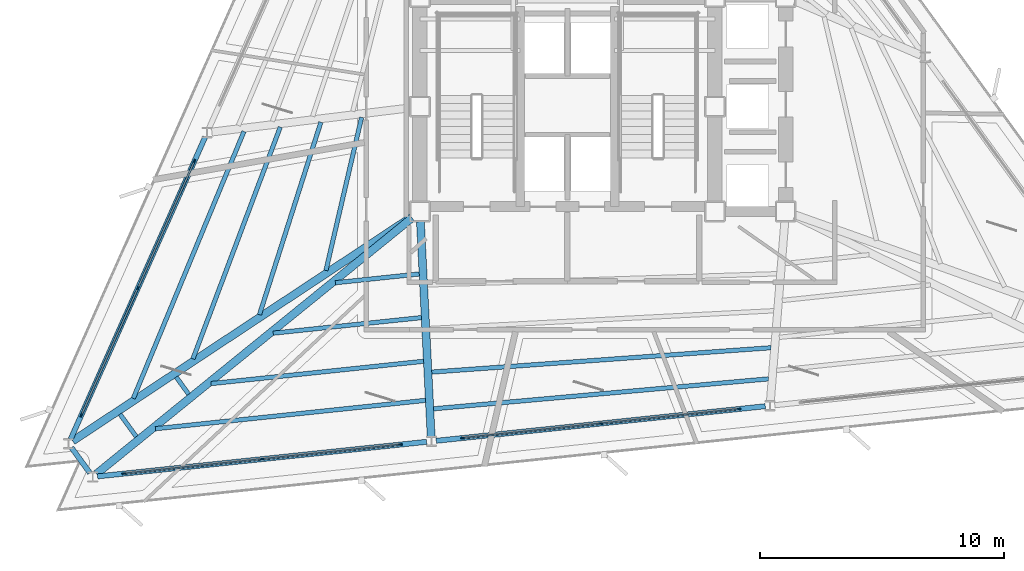
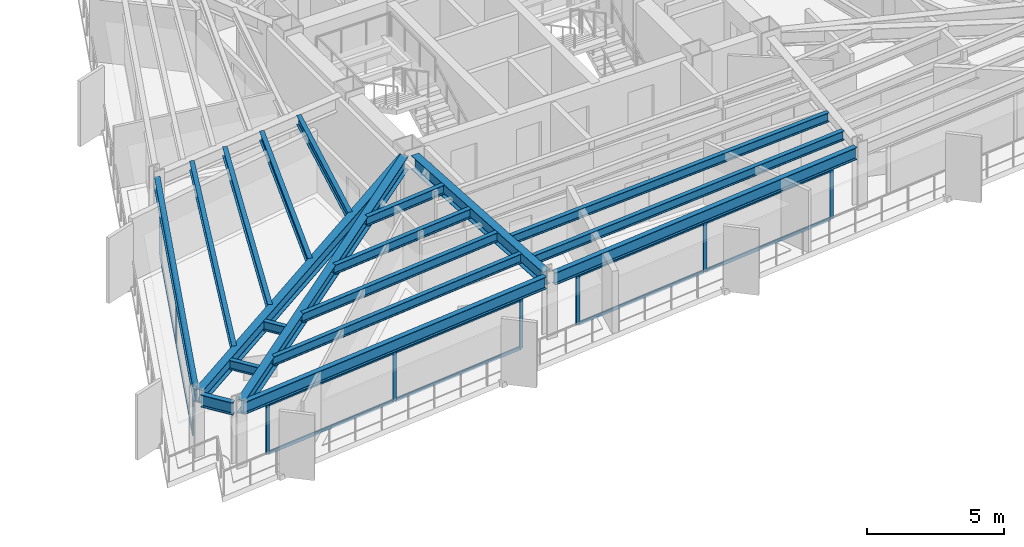
# One storey, part 2 of 12: 21 members, 19 beams, 3 elements without a shape of their own.
"""IFC4 building model written with IfcOpenShell, lengths in metres."""

from ifc_helpers import new_model, si_unit, direction, frame, origin, origin_2d, place, context, subcontext, project, spatial, rectangle, i_section, extrude, material, layer, layer_set, material_profile, profile_set, type_object, element, aggregate, save


model = new_model("IFC4")

# Units and contexts
model_context = context("Model", 3, precision=1e-05, world=origin(), true_north=direction((0.0, 1.0)))
body_context = subcontext(model_context, "Body", "Model", "MODEL_VIEW")
ifc_project = project(units=[si_unit("LENGTHUNIT", "METRE"), si_unit("AREAUNIT", "SQUARE_METRE"), si_unit("VOLUMEUNIT", "CUBIC_METRE"), si_unit("PLANEANGLEUNIT", "RADIAN"), si_unit("MASSUNIT", "GRAM", prefix="KILO")], contexts=[model_context])

# Site, building, storey
site_placement = place(None, origin())
site = spatial("IfcSite", under=ifc_project, at=site_placement, CompositionType="ELEMENT")
building_placement = place(site_placement, origin())
building = spatial("IfcBuilding", under=site, at=building_placement, Name="Rocaltana Carrier Exchange", CompositionType="ELEMENT")
storey_placement = place(building_placement, frame((0.0, 0.0, 113.760009765625)))
storey = spatial("IfcBuildingStorey", under=building, at=storey_placement, Name="L35", CompositionType="ELEMENT", Elevation=113.760009765625)

# Curtain wall, members
ifc_material_1 = material(Name="Aluminium 6063-T6", Category="aluminium")
ifc_layer = layer(ifc_material_1, 0.14990234375)
ifc_layer_set = layer_set([ifc_layer], Name="Aluminium 6063-T6")
curtain_wall_type = type_object("IfcCurtainWallType", Name="Mid-Tower Unitised Curtain Wall CW-03", PredefinedType="NOTDEFINED", material=ifc_layer_set)
curtain_wall_1_placement = place(storey_placement, origin())
curtain_wall_1 = element("IfcCurtainWall", 1, at=curtain_wall_1_placement, inside=storey, type_object=curtain_wall_type, Name="L35 CW-03 Run CW-L35-F2S3", PredefinedType="NOTDEFINED")
ifc_material_2 = material(Name="Aluminium 6063-T6", Category="aluminium")
ifc_material_profile_1 = material_profile(ifc_material_2, rectangle(XDim=0.06005859375, YDim=0.14990234375, at=origin_2d()), Name="AL-60X150")
ifc_profile_set_1 = profile_set([ifc_material_profile_1], Name="Aluminium 6063-T6")
member_type_1 = type_object("IfcMemberType", Name="CW-03 Mullion AL-60X150", PredefinedType="MULLION", material=ifc_profile_set_1)
member_1_placement = place(storey_placement, frame((-15.299560546875, -2.2333984375, 0.0), z_axis=(0.0, 0.0, 1.0), x_axis=(0.913547031517, -0.406733108077, 0.0)))
member_1 = element("IfcMember", 2, at=member_1_placement, type_object=member_type_1, Name="CW-03 mullion 1", PredefinedType="MULLION", context=body_context, shape_type="SweptSolid", body=[
    extrude(rectangle(XDim=0.06005859375, YDim=0.14990234375, at=origin_2d()), origin(), (0.0, 0.0, 1.0), 2.218017578125),
])
member_2_placement = place(storey_placement, frame((-17.619140625, -7.44384765625, 0.0), z_axis=(0.0, 0.0, 1.0), x_axis=(0.913547031517, -0.406733108077, 0.0)))
member_2 = element("IfcMember", 3, at=member_2_placement, type_object=member_type_1, Name="CW-03 mullion 2", PredefinedType="MULLION", context=body_context, shape_type="SweptSolid", body=[
    extrude(rectangle(XDim=0.06005859375, YDim=0.14990234375, at=origin_2d()), origin(), (0.0, 0.0, 1.0), 2.218017578125),
])
member_3_placement = place(storey_placement, frame((-19.93896484375, -12.654052734375, 0.0), z_axis=(0.0, 0.0, 1.0), x_axis=(0.913547031517, -0.406733108077, 0.0)))
member_3 = element("IfcMember", 4, at=member_3_placement, type_object=member_type_1, Name="CW-03 mullion 3", PredefinedType="MULLION", context=body_context, shape_type="SweptSolid", body=[
    extrude(rectangle(XDim=0.06005859375, YDim=0.14990234375, at=origin_2d()), origin(), (0.0, 0.0, 1.0), 2.218017578125),
])

curtain_wall_2_placement = place(storey_placement, origin())
curtain_wall_2 = element("IfcCurtainWall", 5, at=curtain_wall_2_placement, inside=storey, type_object=curtain_wall_type, Name="L35 CW-03 Run CW-L35-F3S1", PredefinedType="NOTDEFINED")
member_4_placement = place(storey_placement, frame((-18.196044921875, -15.052734375, 0.0), z_axis=(0.0, 0.0, 1.0), x_axis=(-0.104521806959, 0.994522594952, 0.0)))
member_4 = element("IfcMember", 6, at=member_4_placement, type_object=member_type_1, Name="CW-03 mullion 1", PredefinedType="MULLION", context=body_context, shape_type="SweptSolid", body=[
    extrude(rectangle(XDim=0.06005859375, YDim=0.14990234375, at=origin_2d()), origin(), (0.0, 0.0, 1.0), 2.218017578125),
])
member_5_placement = place(storey_placement, frame((-12.524169921875, -14.45654296875, 0.0), z_axis=(0.0, 0.0, 1.0), x_axis=(-0.104521806959, 0.994522594952, 0.0)))
member_5 = element("IfcMember", 7, at=member_5_placement, type_object=member_type_1, Name="CW-03 mullion 2", PredefinedType="MULLION", context=body_context, shape_type="SweptSolid", body=[
    extrude(rectangle(XDim=0.06005859375, YDim=0.14990234375, at=origin_2d()), origin(), (0.0, 0.0, 1.0), 2.218017578125),
])
member_6_placement = place(storey_placement, frame((-6.85205078125, -13.860595703125, 0.0), z_axis=(0.0, 0.0, 1.0), x_axis=(-0.104521806959, 0.994522594952, 0.0)))
member_6 = element("IfcMember", 8, at=member_6_placement, type_object=member_type_1, Name="CW-03 mullion 3", PredefinedType="MULLION", context=body_context, shape_type="SweptSolid", body=[
    extrude(rectangle(XDim=0.06005859375, YDim=0.14990234375, at=origin_2d()), origin(), (0.0, 0.0, 1.0), 2.218017578125),
])

curtain_wall_3_placement = place(storey_placement, origin())
curtain_wall_3 = element("IfcCurtainWall", 9, at=curtain_wall_3_placement, inside=storey, type_object=curtain_wall_type, Name="L35 CW-03 Run CW-L35-F3S2", PredefinedType="NOTDEFINED")
member_7_placement = place(storey_placement, frame((-4.30615234375, -13.5927734375, 0.0), z_axis=(0.0, 0.0, 1.0), x_axis=(-0.104529526113, 0.994521783658, 0.0)))
member_7 = element("IfcMember", 10, at=member_7_placement, type_object=member_type_1, Name="CW-03 mullion 1", PredefinedType="MULLION", context=body_context, shape_type="SweptSolid", body=[
    extrude(rectangle(XDim=0.06005859375, YDim=0.14990234375, at=origin_2d()), origin(), (0.0, 0.0, 1.0), 2.218017578125),
])
member_8_placement = place(storey_placement, frame((1.365966796875, -12.99658203125, 0.0), z_axis=(0.0, 0.0, 1.0), x_axis=(-0.104529526113, 0.994521783658, 0.0)))
member_8 = element("IfcMember", 11, at=member_8_placement, type_object=member_type_1, Name="CW-03 mullion 2", PredefinedType="MULLION", context=body_context, shape_type="SweptSolid", body=[
    extrude(rectangle(XDim=0.06005859375, YDim=0.14990234375, at=origin_2d()), origin(), (0.0, 0.0, 1.0), 2.218017578125),
])
member_9_placement = place(storey_placement, frame((7.0380859375, -12.400634765625, 0.0), z_axis=(0.0, 0.0, 1.0), x_axis=(-0.104529526113, 0.994521783658, 0.0)))
member_9 = element("IfcMember", 12, at=member_9_placement, type_object=member_type_1, Name="CW-03 mullion 3", PredefinedType="MULLION", context=body_context, shape_type="SweptSolid", body=[
    extrude(rectangle(XDim=0.06005859375, YDim=0.14990234375, at=origin_2d()), origin(), (0.0, 0.0, 1.0), 2.218017578125),
])

# Member
ifc_material_3 = material(Name="Aluminium 6063-T6", Category="aluminium")
ifc_material_profile_2 = material_profile(ifc_material_3, rectangle(XDim=0.06005859375, YDim=0.14990234375, at=origin_2d()), Name="AL-60X150")
ifc_profile_set_2 = profile_set([ifc_material_profile_2], Name="Aluminium 6063-T6")
member_type_2 = type_object("IfcMemberType", Name="CW-03 Transom AL-60X150", PredefinedType="USERDEFINED", material=ifc_profile_set_2)
member_10_placement = place(storey_placement, frame((-15.311767578125, -2.260986328125, 0.030029296875), z_axis=(-0.406704359788, -0.913559830405, 0.0), x_axis=(0.913559830405, -0.406704359788, 0.0)))
member_10 = element("IfcMember", 13, at=member_10_placement, type_object=member_type_2, Name="CW-03 transom 1.1", ObjectType="TRANSOM", PredefinedType="USERDEFINED", context=body_context, shape_type="SweptSolid", body=[
    extrude(rectangle(XDim=0.06005859375, YDim=0.14990234375, at=origin_2d()), origin(), (0.0, 0.0, 1.0), 5.643310546875),
])

member_11_placement = place(storey_placement, frame((-15.311767578125, -2.260986328125, 2.18798828125), z_axis=(-0.406704359788, -0.913559830405, 0.0), x_axis=(0.913559830405, -0.406704359788, 0.0)))
member_11 = element("IfcMember", 14, at=member_11_placement, type_object=member_type_2, Name="CW-03 transom 1.2", ObjectType="TRANSOM", PredefinedType="USERDEFINED", context=body_context, shape_type="SweptSolid", body=[
    extrude(rectangle(XDim=0.06005859375, YDim=0.14990234375, at=origin_2d()), origin(), (0.0, 0.0, 1.0), 5.643310546875),
])

member_12_placement = place(storey_placement, frame((-17.63134765625, -7.47119140625, 0.030029296875), z_axis=(-0.406740464784, -0.913543756099, 0.0), x_axis=(0.913543756099, -0.406740464784, 0.0)))
member_12 = element("IfcMember", 15, at=member_12_placement, type_object=member_type_2, Name="CW-03 transom 2.1", ObjectType="TRANSOM", PredefinedType="USERDEFINED", context=body_context, shape_type="SweptSolid", body=[
    extrude(rectangle(XDim=0.06005859375, YDim=0.14990234375, at=origin_2d()), origin(), (0.0, 0.0, 1.0), 5.643310546875),
])

member_13_placement = place(storey_placement, frame((-17.63134765625, -7.47119140625, 2.18798828125), z_axis=(-0.406740464784, -0.913543756099, 0.0), x_axis=(0.913543756099, -0.406740464784, 0.0)))
member_13 = element("IfcMember", 16, at=member_13_placement, type_object=member_type_2, Name="CW-03 transom 2.2", ObjectType="TRANSOM", PredefinedType="USERDEFINED", context=body_context, shape_type="SweptSolid", body=[
    extrude(rectangle(XDim=0.06005859375, YDim=0.14990234375, at=origin_2d()), origin(), (0.0, 0.0, 1.0), 5.643310546875),
])

aggregate(curtain_wall_1, [member_1, member_2, member_3, member_10, member_11, member_12, member_13])

member_14_placement = place(storey_placement, frame((-18.166259765625, -15.049560546875, 0.030029296875), z_axis=(0.99452250772, 0.104522636969, 0.0), x_axis=(-0.104522636969, 0.99452250772, 0.0)))
member_14 = element("IfcMember", 17, at=member_14_placement, type_object=member_type_2, Name="CW-03 transom 1.1", ObjectType="TRANSOM", PredefinedType="USERDEFINED", context=body_context, shape_type="SweptSolid", body=[
    extrude(rectangle(XDim=0.06005859375, YDim=0.14990234375, at=origin_2d()), origin(), (0.0, 0.0, 1.0), 5.643310546875),
])

member_15_placement = place(storey_placement, frame((-18.166259765625, -15.049560546875, 2.18798828125), z_axis=(0.99452250772, 0.104522636969, 0.0), x_axis=(-0.104522636969, 0.99452250772, 0.0)))
member_15 = element("IfcMember", 18, at=member_15_placement, type_object=member_type_2, Name="CW-03 transom 1.2", ObjectType="TRANSOM", PredefinedType="USERDEFINED", context=body_context, shape_type="SweptSolid", body=[
    extrude(rectangle(XDim=0.06005859375, YDim=0.14990234375, at=origin_2d()), origin(), (0.0, 0.0, 1.0), 5.643310546875),
])

member_16_placement = place(storey_placement, frame((-12.494384765625, -14.45361328125, 0.030029296875), z_axis=(0.99452250772, 0.104522636969, 0.0), x_axis=(-0.104522636969, 0.99452250772, 0.0)))
member_16 = element("IfcMember", 19, at=member_16_placement, type_object=member_type_2, Name="CW-03 transom 2.1", ObjectType="TRANSOM", PredefinedType="USERDEFINED", context=body_context, shape_type="SweptSolid", body=[
    extrude(rectangle(XDim=0.06005859375, YDim=0.14990234375, at=origin_2d()), origin(), (0.0, 0.0, 1.0), 5.643310546875),
])

member_17_placement = place(storey_placement, frame((-12.494384765625, -14.45361328125, 2.18798828125), z_axis=(0.99452250772, 0.104522636969, 0.0), x_axis=(-0.104522636969, 0.99452250772, 0.0)))
member_17 = element("IfcMember", 20, at=member_17_placement, type_object=member_type_2, Name="CW-03 transom 2.2", ObjectType="TRANSOM", PredefinedType="USERDEFINED", context=body_context, shape_type="SweptSolid", body=[
    extrude(rectangle(XDim=0.06005859375, YDim=0.14990234375, at=origin_2d()), origin(), (0.0, 0.0, 1.0), 5.643310546875),
])

aggregate(curtain_wall_2, [member_4, member_5, member_6, member_14, member_15, member_16, member_17])

member_18_placement = place(storey_placement, frame((-4.276123046875, -13.58984375, 0.030029296875), z_axis=(0.994518009659, 0.104565426716, 0.0), x_axis=(-0.104565426716, 0.994518009659, 0.0)))
member_18 = element("IfcMember", 21, at=member_18_placement, type_object=member_type_2, Name="CW-03 transom 1.1", ObjectType="TRANSOM", PredefinedType="USERDEFINED", context=body_context, shape_type="SweptSolid", body=[
    extrude(rectangle(XDim=0.06005859375, YDim=0.14990234375, at=origin_2d()), origin(), (0.0, 0.0, 1.0), 5.643310546875),
])

member_19_placement = place(storey_placement, frame((-4.276123046875, -13.58984375, 2.18798828125), z_axis=(0.994518009659, 0.104565426716, 0.0), x_axis=(-0.104565426716, 0.994518009659, 0.0)))
member_19 = element("IfcMember", 22, at=member_19_placement, type_object=member_type_2, Name="CW-03 transom 1.2", ObjectType="TRANSOM", PredefinedType="USERDEFINED", context=body_context, shape_type="SweptSolid", body=[
    extrude(rectangle(XDim=0.06005859375, YDim=0.14990234375, at=origin_2d()), origin(), (0.0, 0.0, 1.0), 5.643310546875),
])

member_20_placement = place(storey_placement, frame((1.395751953125, -12.99365234375, 0.030029296875), z_axis=(0.994518482657, 0.104560927947, 0.0), x_axis=(-0.104560927947, 0.994518482657, 0.0)))
member_20 = element("IfcMember", 23, at=member_20_placement, type_object=member_type_2, Name="CW-03 transom 2.1", ObjectType="TRANSOM", PredefinedType="USERDEFINED", context=body_context, shape_type="SweptSolid", body=[
    extrude(rectangle(XDim=0.06005859375, YDim=0.14990234375, at=origin_2d()), origin(), (0.0, 0.0, 1.0), 5.6435546875),
])

member_21_placement = place(storey_placement, frame((1.395751953125, -12.99365234375, 2.18798828125), z_axis=(0.994518482657, 0.104560927947, 0.0), x_axis=(-0.104560927947, 0.994518482657, 0.0)))
member_21 = element("IfcMember", 24, at=member_21_placement, type_object=member_type_2, Name="CW-03 transom 2.2", ObjectType="TRANSOM", PredefinedType="USERDEFINED", context=body_context, shape_type="SweptSolid", body=[
    extrude(rectangle(XDim=0.06005859375, YDim=0.14990234375, at=origin_2d()), origin(), (0.0, 0.0, 1.0), 5.6435546875),
])

aggregate(curtain_wall_3, [member_7, member_8, member_9, member_18, member_19, member_20, member_21])

# Beams
ifc_material_4 = material(Name="Steel S355", Category="steel")
ifc_material_profile_3 = material_profile(ifc_material_4, i_section(OverallWidth=0.179931640625, OverallDepth=0.4130859375, WebThickness=0.009765625, FlangeThickness=0.01611328125, FilletRadius=0.012939453125, at=origin_2d()), Name="W16X50")
ifc_profile_set_3 = profile_set([ifc_material_profile_3], Name="Steel S355")
beam_type_1 = type_object("IfcBeamType", Name="Floor Joist W16X50", PredefinedType="JOIST", material=ifc_profile_set_3)
beam_1_placement = place(storey_placement, frame((-8.442138671875, -0.439208984375, 2.58154296875), z_axis=(-0.22689687838, -0.973918788494, 0.0), x_axis=(0.973918788494, -0.22689687838, 0.0)))
element("IfcBeam", 25, at=beam_1_placement, inside=storey, type_object=beam_type_1, Name="FJ-L35-07-1", PredefinedType="JOIST", context=body_context, shape_type="SweptSolid", body=[
    extrude(i_section(OverallWidth=0.179931640625, OverallDepth=0.4130859375, WebThickness=0.009765625, FlangeThickness=0.01611328125, FilletRadius=0.012939453125, at=origin_2d()), origin(), (0.0, 0.0, 1.0), 6.448486328125),
])
beam_2_placement = place(storey_placement, frame((-10.11279296875, -0.63818359375, 2.58154296875), z_axis=(-0.303932068728, -0.952693706077, 0.0), x_axis=(0.952693706077, -0.303932068728, 0.0)))
element("IfcBeam", 26, at=beam_2_placement, inside=storey, type_object=beam_type_1, Name="FJ-L35-07-2", PredefinedType="JOIST", context=body_context, shape_type="SweptSolid", body=[
    extrude(i_section(OverallWidth=0.179931640625, OverallDepth=0.4130859375, WebThickness=0.009765625, FlangeThickness=0.01611328125, FilletRadius=0.012939453125, at=origin_2d()), origin(), (0.0, 0.0, 1.0), 8.285888671875),
])
beam_3_placement = place(storey_placement, frame((-11.77880859375, -0.837646484375, 2.58154296875), z_axis=(-0.352616248734, -0.935768016727, 0.0), x_axis=(0.935768016727, -0.352616248734, 0.0)))
element("IfcBeam", 27, at=beam_3_placement, inside=storey, type_object=beam_type_1, Name="FJ-L35-07-3", PredefinedType="JOIST", context=body_context, shape_type="SweptSolid", body=[
    extrude(i_section(OverallWidth=0.179931640625, OverallDepth=0.4130859375, WebThickness=0.009765625, FlangeThickness=0.01611328125, FilletRadius=0.012939453125, at=origin_2d()), origin(), (0.0, 0.0, 1.0), 10.1591796875),
])
beam_4_placement = place(storey_placement, frame((-13.267333984375, -1.016845703125, 2.58154296875), z_axis=(-0.382964861888, -0.923762910361, 0.0), x_axis=(0.923762910361, -0.382964861888, 0.0)))
element("IfcBeam", 28, at=beam_4_placement, inside=storey, type_object=beam_type_1, Name="FJ-L35-07-4", PredefinedType="JOIST", context=body_context, shape_type="SweptSolid", body=[
    extrude(i_section(OverallWidth=0.179931640625, OverallDepth=0.4130859375, WebThickness=0.009765625, FlangeThickness=0.01611328125, FilletRadius=0.012939453125, at=origin_2d()), origin(), (0.0, 0.0, 1.0), 11.851806640625),
])
beam_5_placement = place(storey_placement, frame((-16.044921875, -11.092529296875, 2.58154296875), z_axis=(0.587636081789, -0.80912535208, 0.0), x_axis=(0.80912535208, 0.587636081789, 0.0)))
element("IfcBeam", 29, at=beam_5_placement, inside=storey, type_object=beam_type_1, Name="FJ-L35-08-3", PredefinedType="JOIST", context=body_context, shape_type="SweptSolid", body=[
    extrude(i_section(OverallWidth=0.179931640625, OverallDepth=0.4130859375, WebThickness=0.009765625, FlangeThickness=0.01611328125, FilletRadius=0.012939453125, at=origin_2d()), origin(), (0.0, 0.0, 1.0), 0.867431640625),
])
beam_6_placement = place(storey_placement, frame((-18.3505859375, -12.6162109375, 2.58154296875), z_axis=(0.587737652756, -0.809051575323, 0.0), x_axis=(0.809051575323, 0.587737652756, 0.0)))
element("IfcBeam", 30, at=beam_6_placement, inside=storey, type_object=beam_type_1, Name="FJ-L35-08-4", PredefinedType="JOIST", context=body_context, shape_type="SweptSolid", body=[
    extrude(i_section(OverallWidth=0.179931640625, OverallDepth=0.4130859375, WebThickness=0.009765625, FlangeThickness=0.01611328125, FilletRadius=0.012939453125, at=origin_2d()), origin(), (0.0, 0.0, 1.0), 1.137451171875),
])
beam_7_placement = place(storey_placement, frame((-9.51806640625, -7.22314453125, 2.58154296875), z_axis=(0.994522069836, 0.104526803309, 0.0), x_axis=(-0.104526803309, 0.994522069836, 0.0)))
element("IfcBeam", 31, at=beam_7_placement, inside=storey, type_object=beam_type_1, Name="FJ-L35-09-1", PredefinedType="JOIST", context=body_context, shape_type="SweptSolid", body=[
    extrude(i_section(OverallWidth=0.179931640625, OverallDepth=0.4130859375, WebThickness=0.009765625, FlangeThickness=0.01611328125, FilletRadius=0.012939453125, at=origin_2d()), origin(), (0.0, 0.0, 1.0), 3.459228515625),
])
beam_8_placement = place(storey_placement, frame((-12.067626953125, -9.29150390625, 2.58154296875), z_axis=(0.994522291709, 0.104524692265, 0.0), x_axis=(-0.104524692265, 0.994522291709, 0.0)))
element("IfcBeam", 32, at=beam_8_placement, inside=storey, type_object=beam_type_1, Name="FJ-L35-09-2", PredefinedType="JOIST", context=body_context, shape_type="SweptSolid", body=[
    extrude(i_section(OverallWidth=0.179931640625, OverallDepth=0.4130859375, WebThickness=0.009765625, FlangeThickness=0.01611328125, FilletRadius=0.012939453125, at=origin_2d()), origin(), (0.0, 0.0, 1.0), 6.112548828125),
])
beam_9_placement = place(storey_placement, frame((-14.6171875, -11.360107421875, 2.58154296875), z_axis=(0.994519483766, 0.104551405586, 0.0), x_axis=(-0.104551405586, 0.994519483766, 0.0)))
element("IfcBeam", 33, at=beam_9_placement, inside=storey, type_object=beam_type_1, Name="FJ-L35-09-3", PredefinedType="JOIST", context=body_context, shape_type="SweptSolid", body=[
    extrude(i_section(OverallWidth=0.179931640625, OverallDepth=0.4130859375, WebThickness=0.009765625, FlangeThickness=0.01611328125, FilletRadius=0.012939453125, at=origin_2d()), origin(), (0.0, 0.0, 1.0), 8.76611328125),
])
beam_10_placement = place(storey_placement, frame((-16.898681640625, -13.210693359375, 2.58154296875), z_axis=(0.994521531783, 0.104531922494, 0.0), x_axis=(-0.104531922494, 0.994521531783, 0.0)))
element("IfcBeam", 34, at=beam_10_placement, inside=storey, type_object=beam_type_1, Name="FJ-L35-09-4", PredefinedType="JOIST", context=body_context, shape_type="SweptSolid", body=[
    extrude(i_section(OverallWidth=0.179931640625, OverallDepth=0.4130859375, WebThickness=0.009765625, FlangeThickness=0.01611328125, FilletRadius=0.012939453125, at=origin_2d()), origin(), (0.0, 0.0, 1.0), 11.140625),
])
beam_11_placement = place(storey_placement, frame((-5.564697265625, -10.887451171875, 2.58154296875), z_axis=(0.99742902588, 0.071661274976, 0.0), x_axis=(-0.071661274976, 0.99742902588, 0.0)))
element("IfcBeam", 35, at=beam_11_placement, inside=storey, type_object=beam_type_1, Name="FJ-L35-10-3", PredefinedType="JOIST", context=body_context, shape_type="SweptSolid", body=[
    extrude(i_section(OverallWidth=0.179931640625, OverallDepth=0.4130859375, WebThickness=0.009765625, FlangeThickness=0.01611328125, FilletRadius=0.012939453125, at=origin_2d()), origin(), (0.0, 0.0, 1.0), 13.94775390625),
])
beam_12_placement = place(storey_placement, frame((-5.489501953125, -12.39306640625, 2.58154296875), z_axis=(0.996028205835, 0.089038268076, 0.0), x_axis=(-0.089038268076, 0.996028205835, 0.0)))
element("IfcBeam", 36, at=beam_12_placement, inside=storey, type_object=beam_type_1, Name="FJ-L35-10-4", PredefinedType="JOIST", context=body_context, shape_type="SweptSolid", body=[
    extrude(i_section(OverallWidth=0.179931640625, OverallDepth=0.4130859375, WebThickness=0.009765625, FlangeThickness=0.01611328125, FilletRadius=0.012939453125, at=origin_2d()), origin(), (0.0, 0.0, 1.0), 13.789306640625),
])
ifc_material_5 = material(Name="Steel S355", Category="steel")
ifc_material_profile_4 = material_profile(ifc_material_5, i_section(OverallWidth=0.323974609375, OverallDepth=0.611083984375, WebThickness=0.0126953125, FlangeThickness=0.01904296875, FilletRadius=0.01611328125, at=origin_2d()), Name="W24X104")
ifc_profile_set_4 = profile_set([ifc_material_profile_4], Name="Steel S355")
beam_type_2 = type_object("IfcBeamType", Name="Radial Girder W24X104", PredefinedType="BEAM", material=ifc_profile_set_4)
beam_13_placement = place(storey_placement, frame((-6.39794921875, -4.52978515625, 2.482421875), z_axis=(-0.83426019766, -0.551370948274, 0.0), x_axis=(0.551370948274, -0.83426019766, 0.0)))
element("IfcBeam", 37, at=beam_13_placement, inside=storey, type_object=beam_type_2, Name="RG-L35-08", PredefinedType="BEAM", context=body_context, shape_type="SweptSolid", body=[
    extrude(i_section(OverallWidth=0.323974609375, OverallDepth=0.611083984375, WebThickness=0.0126953125, FlangeThickness=0.01904296875, FilletRadius=0.01611328125, at=origin_2d()), origin(), (0.0, 0.0, 1.0), 16.6572265625),
])
beam_14_placement = place(storey_placement, frame((-6.373779296875, -4.562744140625, 2.482421875), z_axis=(-0.776578485368, -0.630020520351, 0.0), x_axis=(0.630020520351, -0.776578485368, 0.0)))
element("IfcBeam", 38, at=beam_14_placement, inside=storey, type_object=beam_type_2, Name="RG-L35-09", PredefinedType="BEAM", context=body_context, shape_type="SweptSolid", body=[
    extrude(i_section(OverallWidth=0.323974609375, OverallDepth=0.611083984375, WebThickness=0.0126953125, FlangeThickness=0.01904296875, FilletRadius=0.01611328125, at=origin_2d()), origin(), (0.0, 0.0, 1.0), 16.6650390625),
])
beam_15_placement = place(storey_placement, frame((-6.029296875, -4.716552734375, 2.482421875), z_axis=(0.049889314845, -0.998754752812, 0.0), x_axis=(0.998754752812, 0.049889314845, 0.0)))
element("IfcBeam", 39, at=beam_15_placement, inside=storey, type_object=beam_type_2, Name="RG-L35-10", PredefinedType="BEAM", context=body_context, shape_type="SweptSolid", body=[
    extrude(i_section(OverallWidth=0.323974609375, OverallDepth=0.611083984375, WebThickness=0.0126953125, FlangeThickness=0.01904296875, FilletRadius=0.01611328125, at=origin_2d()), origin(), (0.0, 0.0, 1.0), 8.8232421875),
])
ifc_material_6 = material(Name="Steel S355", Category="steel")
ifc_material_profile_5 = material_profile(ifc_material_6, i_section(OverallWidth=0.2119140625, OverallDepth=0.5439453125, WebThickness=0.01318359375, FlangeThickness=0.021240234375, FilletRadius=0.014892578125, at=origin_2d()), Name="W21X83")
ifc_profile_set_5 = profile_set([ifc_material_profile_5], Name="Steel S355")
beam_type_3 = type_object("IfcBeamType", Name="Spandrel Edge Beam W21X83", PredefinedType="SPANDREL", material=ifc_profile_set_5)
beam_16_placement = place(storey_placement, frame((-14.859375, -1.2451171875, 2.515869140625), z_axis=(-0.406740957499, -0.913543536725, 0.0), x_axis=(0.913543536725, -0.406740957499, 0.0)))
element("IfcBeam", 40, at=beam_16_placement, inside=storey, type_object=beam_type_3, Name="SP-L35-07", PredefinedType="SPANDREL", context=body_context, shape_type="SweptSolid", body=[
    extrude(i_section(OverallWidth=0.2119140625, OverallDepth=0.5439453125, WebThickness=0.01318359375, FlangeThickness=0.021240234375, FilletRadius=0.014892578125, at=origin_2d()), origin(), (0.0, 0.0, 1.0), 13.57080078125),
])
beam_17_placement = place(storey_placement, frame((-20.34326171875, -13.983642578125, 2.515869140625), z_axis=(0.58777742462, -0.809022681454, 0.0), x_axis=(0.809022681454, 0.58777742462, 0.0)))
element("IfcBeam", 41, at=beam_17_placement, inside=storey, type_object=beam_type_3, Name="SP-L35-08", PredefinedType="SPANDREL", context=body_context, shape_type="SweptSolid", body=[
    extrude(i_section(OverallWidth=0.2119140625, OverallDepth=0.5439453125, WebThickness=0.01318359375, FlangeThickness=0.021240234375, FilletRadius=0.014892578125, at=origin_2d()), origin(), (0.0, 0.0, 1.0), 1.288818359375),
])
for number, where, z_axis, x_axis, name in (
    (42, (-19.272216796875, -15.166015625, 2.515869140625), (0.99452052486, 0.104541501962, 0.0), (-0.104541501962, 0.99452052486, 0.0), "SP-L35-09"),
    (43, (-5.382080078125, -13.7060546875, 2.515869140625), (0.99452052486, 0.104541501962, 0.0), (-0.104541501962, 0.99452052486, 0.0), "SP-L35-10"),
):
    element("IfcBeam", number, at=place(storey_placement, frame(where, z_axis=z_axis, x_axis=x_axis)), inside=storey, type_object=beam_type_3, Name=name, PredefinedType="SPANDREL", context=body_context, shape_type="SweptSolid", body=[
        extrude(i_section(OverallWidth=0.2119140625, OverallDepth=0.5439453125, WebThickness=0.01318359375, FlangeThickness=0.021240234375, FilletRadius=0.014892578125, at=origin_2d()), origin(), (0.0, 0.0, 1.0), 13.57080078125),
    ])

save(model, "model.ifc")
